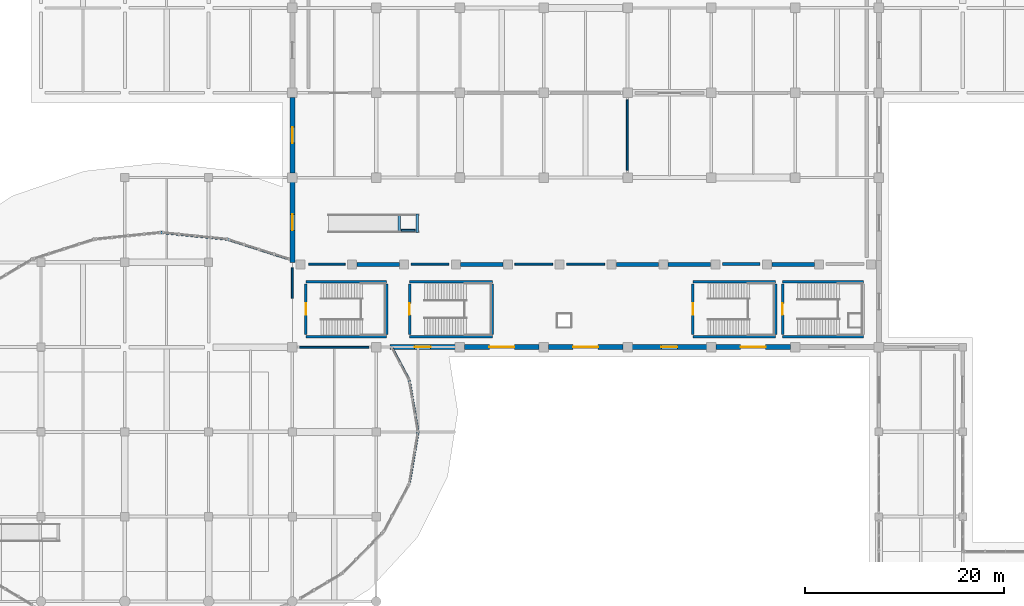
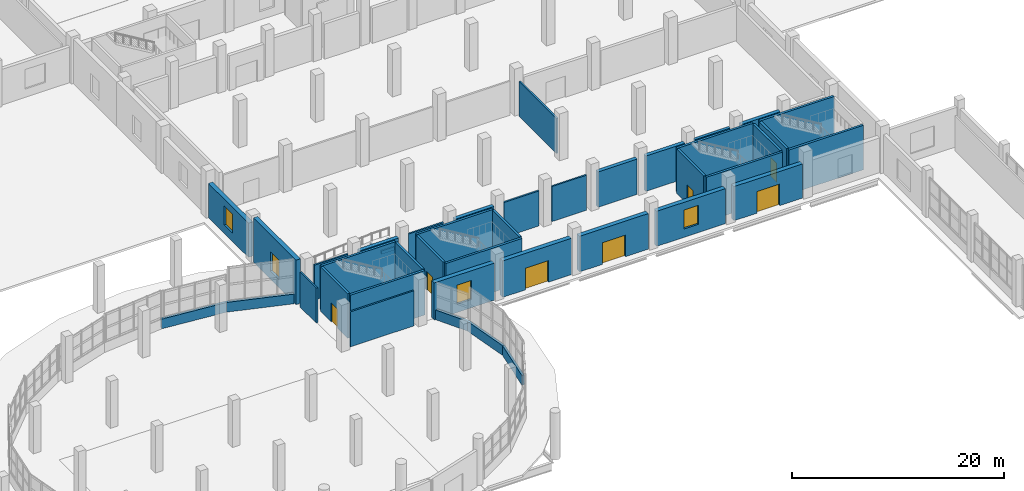
# One storey, part 87 of 107: 43 walls, 7 doors, 4 windows, 11 openings.
"""IFC4 building model written with IfcOpenShell, lengths in metres."""

import ifcopenshell
import ifcopenshell.guid

model = None  # the IFC model being written
_history = None  # IfcOwnerHistory: only IFC2X3 demands one
_inside = {}  # id of a spatial element -> (the spatial element, [elements in it])
_under = {}  # id of a project, library or spatial element -> (it, [spatial elements below it])
_declared = {}  # id of a project -> (the project, [libraries it declares])
_typed = {}  # id of a type object -> (the type object, [elements of that type])
_made_of = {}  # id of a material, layer set ... -> (it, [elements and type objects made of it])


def new_model(schema):
    """Start an empty IFC model of exactly this schema.

    Asked for "IFC4X3", IfcOpenShell would pick the latest addendum, in which some entities
    have other attributes; the version numbers below select the first issue.
    IFC2X3 requires an IfcOwnerHistory on every rooted entity: one is made here for all.
    """
    global model, _history
    if schema == "IFC4X3":
        model = ifcopenshell.file(schema_version=(4, 3, 0, 0))
    else:
        model = ifcopenshell.file(schema=schema)
    _inside.clear()
    _under.clear()
    _declared.clear()
    _typed.clear()
    _made_of.clear()
    _history = None
    if model.schema == "IFC2X3":
        org = make("IfcOrganization", Name="unknown")
        user = make(
            "IfcPersonAndOrganization",
            ThePerson=make("IfcPerson", FamilyName="unknown"),
            TheOrganization=org,
        )
        app = make(
            "IfcApplication",
            ApplicationDeveloper=org,
            Version="unknown",
            ApplicationFullName="unknown",
            ApplicationIdentifier="unknown",
        )
        _history = make(
            "IfcOwnerHistory",
            OwningUser=user,
            OwningApplication=app,
            ChangeAction="ADDED",
            CreationDate=0,
        )
    return model


def make(cls, **values):
    """One entity of the class cls with the attributes given. An attribute that is None is left unset."""
    return model.create_entity(
        cls, **{name: value for name, value in values.items() if value is not None}
    )


def rooted(cls, **values):
    """An entity with a GlobalId (a new one), such as an element, a storey or a relation."""
    return make(cls, GlobalId=ifcopenshell.guid.new(), OwnerHistory=_history, **values)


def si_unit(unit_type, name, prefix=None):
    """IfcSIUnit, for example si_unit("LENGTHUNIT", "METRE", prefix="MILLI")."""
    return make("IfcSIUnit", UnitType=unit_type, Prefix=prefix, Name=name)


def assignment(units):
    """IfcUnitAssignment: the units of a project."""
    return None if units is None else make("IfcUnitAssignment", Units=units)


def point(xyz):
    """IfcCartesianPoint."""
    return None if xyz is None else make("IfcCartesianPoint", Coordinates=xyz)


def direction(xyz):
    """IfcDirection."""
    return None if xyz is None else make("IfcDirection", DirectionRatios=xyz)


def frame(location, z_axis=None, x_axis=None):
    """IfcAxis2Placement3D, a coordinate frame: its origin and axes. An axis left out is left unset."""
    return make(
        "IfcAxis2Placement3D",
        Location=point(location),
        Axis=direction(z_axis),
        RefDirection=direction(x_axis),
    )


def frame_2d(location, x_axis=None):
    """IfcAxis2Placement2D, a coordinate frame in the plane: its origin and x axis."""
    return make(
        "IfcAxis2Placement2D", Location=point(location), RefDirection=direction(x_axis)
    )


def origin():
    """The frame at (0, 0, 0) with its axes left unset."""
    return frame((0.0, 0.0, 0.0))


def place(relative_to, where):
    """IfcLocalPlacement: puts the frame where relative to a parent placement (None: the world)."""
    return make(
        "IfcLocalPlacement", PlacementRelTo=relative_to, RelativePlacement=where
    )


def context(
    kind, dimensions, precision=None, world=None, true_north=None, identifier=None
):
    """IfcGeometricRepresentationContext, for example the 3D "Model" context."""
    return make(
        "IfcGeometricRepresentationContext",
        ContextIdentifier=identifier,
        ContextType=kind,
        CoordinateSpaceDimension=dimensions,
        Precision=precision,
        WorldCoordinateSystem=world,
        TrueNorth=true_north,
    )


def subcontext(parent, identifier, kind, view, scale=None):
    """IfcGeometricRepresentationSubContext, for example "Body" below "Model"."""
    return make(
        "IfcGeometricRepresentationSubContext",
        ContextIdentifier=identifier,
        ContextType=kind,
        ParentContext=parent,
        TargetScale=scale,
        TargetView=view,
    )


def project(units=None, contexts=None):
    """IfcProject with its units and contexts."""
    return rooted(
        "IfcProject",
        Name="project",
        RepresentationContexts=contexts,
        UnitsInContext=assignment(units),
    )


def spatial(cls, under=None, at=None, **own):
    """A site, building, storey or space (cls), placed at a placement, below another one or the project."""
    s = rooted(cls, ObjectPlacement=at, **own)
    if under is not None:
        _under.setdefault(under.id(), (under, []))[1].append(s)
    return s


def profile(cls, at=None, kind="AREA", **sizes):
    """A parametric profile (cls). Its sizes go by their IFC names, for example OverallWidth=200.0."""
    return make(cls, ProfileType=kind, Position=at, **sizes)


def rectangle(**sizes):
    """IfcRectangleProfileDef."""
    return profile("IfcRectangleProfileDef", **sizes)


def extrude(swept, where, along, depth):
    """IfcExtrudedAreaSolid: the profile swept, set in the frame where, extruded along a direction by depth."""
    return make(
        "IfcExtrudedAreaSolid",
        SweptArea=swept,
        Position=where,
        ExtrudedDirection=direction(along),
        Depth=depth,
    )


def shape(context_of_items, identifier, shape_type, items):
    """IfcShapeRepresentation: the items that make up one representation, for example the "Body"."""
    return make(
        "IfcShapeRepresentation",
        ContextOfItems=context_of_items,
        RepresentationIdentifier=identifier,
        RepresentationType=shape_type,
        Items=items,
    )


def material(Name=None, Category=None):
    """IfcMaterial."""
    return make("IfcMaterial", Name=Name, Category=Category)


def layer(
    of_material, thickness, ventilated=None, Name=None, Category=None, Priority=None
):
    """IfcMaterialLayer: one layer of a wall or slab, of a material (None: an air gap)."""
    return make(
        "IfcMaterialLayer",
        Material=of_material,
        LayerThickness=thickness,
        IsVentilated=ventilated,
        Name=Name,
        Category=Category,
        Priority=Priority,
    )


def layer_set(layers, Name=None):
    """IfcMaterialLayerSet."""
    return make("IfcMaterialLayerSet", MaterialLayers=layers, LayerSetName=Name)


def made_of(thing, what):
    """Note that an element or type object is made of a material, layer set ...; save() writes the relation."""
    if what is not None:
        _made_of.setdefault(what.id(), (what, []))[1].append(thing)
    return thing


def type_object(cls, material=None, **own):
    """A type object (cls), such as IfcWallType, which elements share."""
    return made_of(rooted(cls, **own), material)


def element(
    cls,
    number,
    at=None,
    inside=None,
    cuts=None,
    type_object=None,
    material=None,
    context=None,
    identifier="Body",
    shape_type=None,
    held_by="IfcProductDefinitionShape",
    body=None,
    shapes=None,
    **own,
):
    """One element of the class cls, such as IfcWall. Its Tag is "e" and its number.

    at: its placement. inside: the storey or other place that contains it. cuts: it is an
    opening in that element (IfcRelVoidsElement). A single representation is given by context,
    identifier, shape_type and body (its items); several are given by shapes. held_by: the class
    of the entity that holds the representations. save() writes the other relations.
    """
    e = rooted(cls, Tag="e%d" % number, ObjectPlacement=at, **own)
    if body is not None:
        shapes = [shape(context, identifier, shape_type, body)]
    if shapes is not None:
        e.Representation = make(held_by, Representations=shapes)
    if inside is not None:
        _inside.setdefault(inside.id(), (inside, []))[1].append(e)
    if cuts is not None:
        rooted(
            "IfcRelVoidsElement", RelatingBuildingElement=cuts, RelatedOpeningElement=e
        )
    if type_object is not None:
        _typed.setdefault(type_object.id(), (type_object, []))[1].append(e)
    return made_of(e, material)


def fill(opening, filler):
    """IfcRelFillsElement: the door or window that sits in an opening."""
    return rooted(
        "IfcRelFillsElement",
        RelatingOpeningElement=opening,
        RelatedBuildingElement=filler,
    )


def aggregate(whole, parts):
    """IfcRelAggregates: a whole, such as a stair, and the parts it consists of."""
    return rooted("IfcRelAggregates", RelatingObject=whole, RelatedObjects=parts)


def save(model, path):
    """Write the relations noted so far, then the file.

    IfcRelAggregates (storeys below a building ...), IfcRelContainedInSpatialStructure (elements
    in a storey), IfcRelDefinesByType, IfcRelAssociatesMaterial and IfcRelDeclares: one each for
    every whole, place, type object, material and project.
    """
    for whole, parts in _under.values():
        aggregate(whole, parts)
    for where, things in _inside.values():
        rooted(
            "IfcRelContainedInSpatialStructure",
            RelatedElements=things,
            RelatingStructure=where,
        )
    for kind, things in _typed.values():
        rooted("IfcRelDefinesByType", RelatedObjects=things, RelatingType=kind)
    for what, things in _made_of.values():
        rooted("IfcRelAssociatesMaterial", RelatedObjects=things, RelatingMaterial=what)
    for by, libraries in _declared.values():
        rooted("IfcRelDeclares", RelatingContext=by, RelatedDefinitions=libraries)
    model.write(path)


model = new_model("IFC4")

# Units and contexts
model_context = context("Model", 3, precision=1e-05, world=origin(), true_north=direction((0.0, 1.0)))
body_context = subcontext(model_context, "Body", "Model", "MODEL_VIEW")
ifc_project = project(units=[si_unit("LENGTHUNIT", "METRE"), si_unit("AREAUNIT", "SQUARE_METRE"), si_unit("VOLUMEUNIT", "CUBIC_METRE"), si_unit("PLANEANGLEUNIT", "RADIAN"), si_unit("MASSUNIT", "GRAM", prefix="KILO")], contexts=[model_context])

# Site, building, storey
site_placement = place(None, origin())
site = spatial("IfcSite", under=ifc_project, at=site_placement, CompositionType="ELEMENT")
building_placement = place(site_placement, origin())
building = spatial("IfcBuilding", under=site, at=building_placement, Name="Solvento Point Concert Hall", CompositionType="ELEMENT")
storey_placement = place(building_placement, origin())
storey = spatial("IfcBuildingStorey", under=building, at=storey_placement, Name="L00", CompositionType="ELEMENT", Elevation=0.0)

# Walls
ifc_material_1 = material(Name="Acoustic Double-Stud Gypsum Partition")
ifc_layer_1 = layer(ifc_material_1, 0.179931640625)
ifc_layer_set_1 = layer_set([ifc_layer_1], Name="Acoustic Double-Stud Gypsum Partition")
wall_type_1 = type_object("IfcWallType", Name="AcousticPartition_180", PredefinedType="PARTITIONING", material=ifc_layer_set_1)
wall_1_placement = place(storey_placement, frame((75.125, 42.47998046875, 0.0), z_axis=(0.0, 0.0, 1.0), x_axis=(1.0, 0.0, 0.0)))
element("IfcWall", 1, at=wall_1_placement, inside=storey, type_object=wall_type_1, Name="Interior acoustic partition PW-63 L00", PredefinedType="PARTITIONING", context=body_context, shape_type="SweptSolid", body=[
    extrude(rectangle(XDim=6.949951171875, YDim=0.179931640625, at=frame_2d((3.47509765625, 0.0))), origin(), (0.0, 0.0, 1.0), 4.0400390625),
])
wall_2_placement = place(storey_placement, frame((74.3798828125, 50.4423828125, 0.0), z_axis=(0.0, 0.0, 1.0), x_axis=(0.0, -1.0, 0.0)))
element("IfcWall", 2, at=wall_2_placement, inside=storey, type_object=wall_type_1, Name="Interior acoustic partition PW-63 L00", PredefinedType="PARTITIONING", context=body_context, shape_type="SweptSolid", body=[
    extrude(rectangle(XDim=3.055419921875, YDim=0.179931640625, at=frame_2d((1.52783203125, 0.0))), origin(), (0.0, 0.0, 1.0), 4.0400390625),
])
for number, where, z_axis, x_axis, name in (
    (3, (105.699951171875, 50.820068359375, 0.0), (0.0, 0.0, 1.0), (-1.0, 0.0, 0.0), "Interior acoustic partition PW-63 L00"),
    (4, (100.5, 50.820068359375, 0.0), (0.0, 0.0, 1.0), (-1.0, 0.0, 0.0), "Interior acoustic partition PW-63 L00"),
    (5, (90.10009765625, 50.820068359375, 0.0), (0.0, 0.0, 1.0), (-1.0, 0.0, 0.0), "Interior acoustic partition PW-63 L00"),
):
    element("IfcWall", number, at=place(storey_placement, frame(where, z_axis=z_axis, x_axis=x_axis)), inside=storey, type_object=wall_type_1, Name=name, PredefinedType="PARTITIONING", context=body_context, shape_type="SweptSolid", body=[
        extrude(rectangle(XDim=3.800048828125, YDim=0.179931640625, at=frame_2d((1.89990234375, 0.0))), origin(), (0.0, 0.0, 1.0), 4.0400390625),
    ])
wall_3_placement = place(storey_placement, frame((79.699951171875, 50.820068359375, 0.0), z_axis=(0.0, 0.0, 1.0), x_axis=(-1.0, 0.0, 0.0)))
element("IfcWall", 6, at=wall_3_placement, inside=storey, type_object=wall_type_1, Name="Interior acoustic partition PW-63 L00", PredefinedType="PARTITIONING", context=body_context, shape_type="SweptSolid", body=[
    extrude(rectangle(XDim=3.679931640625, YDim=0.179931640625, at=frame_2d((1.83984375, 0.0))), origin(), (0.0, 0.0, 1.0), 4.0400390625),
])
wall_4_placement = place(storey_placement, frame((107.97998046875, 67.27490234375, 0.0), z_axis=(0.0, 0.0, 1.0), x_axis=(0.0, -1.0, 0.0)))
element("IfcWall", 7, at=wall_4_placement, inside=storey, type_object=wall_type_1, Name="Interior acoustic partition PW-63 L00", PredefinedType="PARTITIONING", context=body_context, shape_type="SweptSolid", body=[
    extrude(rectangle(XDim=7.0498046875, YDim=0.179931640625, at=frame_2d((3.52490234375, 0.0))), origin(), (0.0, 0.0, 1.0), 4.0400390625),
])
ifc_material_2 = material(Name="Acoustic Double-Stud Gypsum Partition")
ifc_layer_2 = layer(ifc_material_2, 0.31494140625)
ifc_layer_set_2 = layer_set([ifc_layer_2], Name="Acoustic Double-Stud Gypsum Partition")
wall_type_2 = type_object("IfcWallType", Name="AcousticPartition_315", PredefinedType="PARTITIONING", material=ifc_layer_set_2)
wall_5_placement = place(storey_placement, frame((121.300048828125, 50.820068359375, 0.0), z_axis=(0.0, 0.0, 1.0), x_axis=(-1.0, 0.0, 0.0)))
element("IfcWall", 8, at=wall_5_placement, inside=storey, type_object=wall_type_2, Name="Interior acoustic partition PW-18 L00", PredefinedType="PARTITIONING", context=body_context, shape_type="SweptSolid", body=[
    extrude(rectangle(XDim=3.800048828125, YDim=0.31494140625, at=frame_2d((1.89990234375, 0.0))), origin(), (0.0, 0.0, 1.0), 4.0400390625),
])
ifc_material_3 = material(Name="Concrete C40/50", Category="concrete")
ifc_layer_3 = layer(ifc_material_3, 0.300048828125)
ifc_layer_set_3 = layer_set([ifc_layer_3], Name="Concrete C40/50")
wall_type_3 = type_object("IfcWallType", Name="CoreShearWall_300", PredefinedType="SHEAR", material=ifc_layer_set_3)
for number, where, z_axis, x_axis, name in (
    (9, (94.449951171875, 43.550048828125, 0.0), (0.0, 0.0, 1.0), (-1.0, 0.0, 0.0), "Stair core shear wall W-SH1 ST-06 L00"),
    (10, (86.14990234375, 49.050048828125, 0.0), (0.0, 0.0, 1.0), (1.0, 0.0, 0.0), "Stair core shear wall W-SH1 ST-06 L00"),
):
    element("IfcWall", number, at=place(storey_placement, frame(where, z_axis=z_axis, x_axis=x_axis)), inside=storey, type_object=wall_type_3, Name=name, PredefinedType="SHEAR", context=body_context, shape_type="SweptSolid", body=[
        extrude(rectangle(XDim=8.300048828125, YDim=0.25, at=frame_2d((4.14990234375, 0.0))), origin(), (0.0, 0.0, 1.0), 5.1201171875),
    ])

# Wall, opening, door
wall_6_placement = place(storey_placement, frame((86.14990234375, 43.75, 0.0), z_axis=(0.0, 0.0, 1.0), x_axis=(0.0, 1.0, 0.0)))
wall_6 = element("IfcWall", 11, at=wall_6_placement, inside=storey, type_object=wall_type_3, Name="Stair core shear wall W-SH1 ST-06 L00", PredefinedType="SHEAR", context=body_context, shape_type="SweptSolid", body=[
    extrude(rectangle(XDim=5.10009765625, YDim=0.25, at=frame_2d((2.550048828125, 0.0))), origin(), (0.0, 0.0, 1.0), 5.1201171875),
])
opening_1_placement = place(wall_6_placement, frame((1.97509765625, 0.0, 0.0)))
opening_1 = element("IfcOpeningElement", 12, at=opening_1_placement, cuts=wall_6, Name="Opening D-ST1", PredefinedType="OPENING", context=body_context, shape_type="SweptSolid", body=[
    extrude(rectangle(XDim=1.14990234375, YDim=2.179931640625, at=frame_2d((0.574951171875, 1.08984375))), frame((0.0, 0.135009765625, 0.0), z_axis=(0.0, -1.0, 0.0), x_axis=(1.0, 0.0, 0.0)), (0.0, 0.0, 1.0), 0.27001953125),
])
ifc_material_4 = material(Name="Hollow Metal Acoustic Fire Door")
door_type_1 = type_object("IfcDoorType", Name="StairFireDoor_1150", OperationType="NOTDEFINED", PredefinedType="DOOR", material=ifc_material_4)
door_1_placement = place(opening_1_placement, origin())
door_1 = element("IfcDoor", 13, at=door_1_placement, inside=storey, type_object=door_type_1, Name="Protected exit stair door ST-06 L00", OperationType="SINGLE_SWING_RIGHT", OverallHeight=2.179931640625, OverallWidth=1.14990234375, PredefinedType="DOOR", context=body_context, shape_type="SweptSolid", body=[
    extrude(rectangle(XDim=1.14990234375, YDim=2.179931640625, at=frame_2d((0.574951171875, 1.08984375))), frame((0.0, 0.02490234375, 0.0), z_axis=(0.0, -1.0, 0.0), x_axis=(1.0, 0.0, 0.0)), (0.0, 0.0, 1.0), 0.050048828125),
])
fill(opening_1, door_1)

# Walls
wall_7_placement = place(storey_placement, frame((94.449951171875, 48.85009765625, 0.0), z_axis=(0.0, 0.0, 1.0), x_axis=(0.0, -1.0, 0.0)))
element("IfcWall", 14, at=wall_7_placement, inside=storey, type_object=wall_type_3, Name="Stair core shear wall W-SH1 ST-06 L00", PredefinedType="SHEAR", context=body_context, shape_type="SweptSolid", body=[
    extrude(rectangle(XDim=5.10009765625, YDim=0.25, at=frame_2d((2.550048828125, 0.0))), origin(), (0.0, 0.0, 1.0), 5.1201171875),
])
for number, where, z_axis, x_axis, name in (
    (15, (122.85009765625, 43.550048828125, 0.0), (0.0, 0.0, 1.0), (-1.0, 0.0, 0.0), "Stair core shear wall W-SH1 ST-07 L00"),
    (16, (114.550048828125, 49.050048828125, 0.0), (0.0, 0.0, 1.0), (1.0, 0.0, 0.0), "Stair core shear wall W-SH1 ST-07 L00"),
):
    element("IfcWall", number, at=place(storey_placement, frame(where, z_axis=z_axis, x_axis=x_axis)), inside=storey, type_object=wall_type_3, Name=name, PredefinedType="SHEAR", context=body_context, shape_type="SweptSolid", body=[
        extrude(rectangle(XDim=8.300048828125, YDim=0.25, at=frame_2d((4.14990234375, 0.0))), origin(), (0.0, 0.0, 1.0), 5.1201171875),
    ])

# Wall, opening, door
wall_8_placement = place(storey_placement, frame((114.550048828125, 43.75, 0.0), z_axis=(0.0, 0.0, 1.0), x_axis=(0.0, 1.0, 0.0)))
wall_8 = element("IfcWall", 17, at=wall_8_placement, inside=storey, type_object=wall_type_3, Name="Stair core shear wall W-SH1 ST-07 L00", PredefinedType="SHEAR", context=body_context, shape_type="SweptSolid", body=[
    extrude(rectangle(XDim=5.10009765625, YDim=0.25, at=frame_2d((2.550048828125, 0.0))), origin(), (0.0, 0.0, 1.0), 5.1201171875),
])
opening_2_placement = place(wall_8_placement, frame((1.97509765625, 0.0, 0.0)))
opening_2 = element("IfcOpeningElement", 18, at=opening_2_placement, cuts=wall_8, Name="Opening D-ST1", PredefinedType="OPENING", context=body_context, shape_type="SweptSolid", body=[
    extrude(rectangle(XDim=1.14990234375, YDim=2.179931640625, at=frame_2d((0.574951171875, 1.08984375))), frame((0.0, 0.135009765625, 0.0), z_axis=(0.0, -1.0, 0.0), x_axis=(1.0, 0.0, 0.0)), (0.0, 0.0, 1.0), 0.27001953125),
])
door_2_placement = place(opening_2_placement, origin())
door_2 = element("IfcDoor", 19, at=door_2_placement, inside=storey, type_object=door_type_1, Name="Protected exit stair door ST-07 L00", OperationType="SINGLE_SWING_LEFT", OverallHeight=2.179931640625, OverallWidth=1.14990234375, PredefinedType="DOOR", context=body_context, shape_type="SweptSolid", body=[
    extrude(rectangle(XDim=1.14990234375, YDim=2.179931640625, at=frame_2d((0.574951171875, 1.08984375))), frame((0.0, 0.02490234375, 0.0), z_axis=(0.0, -1.0, 0.0), x_axis=(1.0, 0.0, 0.0)), (0.0, 0.0, 1.0), 0.050048828125),
])
fill(opening_2, door_2)

# Walls
wall_9_placement = place(storey_placement, frame((122.85009765625, 48.85009765625, 0.0), z_axis=(0.0, 0.0, 1.0), x_axis=(0.0, -1.0, 0.0)))
element("IfcWall", 20, at=wall_9_placement, inside=storey, type_object=wall_type_3, Name="Stair core shear wall W-SH1 ST-07 L00", PredefinedType="SHEAR", context=body_context, shape_type="SweptSolid", body=[
    extrude(rectangle(XDim=5.10009765625, YDim=0.25, at=frame_2d((2.550048828125, 0.0))), origin(), (0.0, 0.0, 1.0), 5.1201171875),
])
for number, where, z_axis, x_axis, name in (
    (21, (83.85009765625, 43.550048828125, 0.0), (0.0, 0.0, 1.0), (-1.0, 0.0, 0.0), "Stair core shear wall W-SH1 VOM-01 L00"),
    (22, (75.75, 49.050048828125, 0.0), (0.0, 0.0, 1.0), (1.0, 0.0, 0.0), "Stair core shear wall W-SH1 VOM-01 L00"),
):
    element("IfcWall", number, at=place(storey_placement, frame(where, z_axis=z_axis, x_axis=x_axis)), inside=storey, type_object=wall_type_3, Name=name, PredefinedType="SHEAR", context=body_context, shape_type="SweptSolid", body=[
        extrude(rectangle(XDim=8.10009765625, YDim=0.25, at=frame_2d((4.050048828125, 0.0))), origin(), (0.0, 0.0, 1.0), 5.1201171875),
    ])

# Wall, opening, door
wall_10_placement = place(storey_placement, frame((75.75, 43.75, 0.0), z_axis=(0.0, 0.0, 1.0), x_axis=(0.0, 1.0, 0.0)))
wall_10 = element("IfcWall", 23, at=wall_10_placement, inside=storey, type_object=wall_type_3, Name="Stair core shear wall W-SH1 VOM-01 L00", PredefinedType="SHEAR", context=body_context, shape_type="SweptSolid", body=[
    extrude(rectangle(XDim=5.10009765625, YDim=0.25, at=frame_2d((2.550048828125, 0.0))), origin(), (0.0, 0.0, 1.0), 5.1201171875),
])
opening_3_placement = place(wall_10_placement, frame((1.97509765625, 0.0, 0.0)))
opening_3 = element("IfcOpeningElement", 24, at=opening_3_placement, cuts=wall_10, Name="Opening D-ST1", PredefinedType="OPENING", context=body_context, shape_type="SweptSolid", body=[
    extrude(rectangle(XDim=1.14990234375, YDim=2.179931640625, at=frame_2d((0.574951171875, 1.08984375))), frame((0.0, 0.135009765625, 0.0), z_axis=(0.0, -1.0, 0.0), x_axis=(1.0, 0.0, 0.0)), (0.0, 0.0, 1.0), 0.27001953125),
])
door_3_placement = place(opening_3_placement, origin())
door_3 = element("IfcDoor", 25, at=door_3_placement, inside=storey, type_object=door_type_1, Name="Protected exit stair door VOM-01 L00", OperationType="SINGLE_SWING_RIGHT", OverallHeight=2.179931640625, OverallWidth=1.14990234375, PredefinedType="DOOR", context=body_context, shape_type="SweptSolid", body=[
    extrude(rectangle(XDim=1.14990234375, YDim=2.179931640625, at=frame_2d((0.574951171875, 1.08984375))), frame((0.0, 0.02490234375, 0.0), z_axis=(0.0, -1.0, 0.0), x_axis=(1.0, 0.0, 0.0)), (0.0, 0.0, 1.0), 0.050048828125),
])
fill(opening_3, door_3)

# Walls
wall_11_placement = place(storey_placement, frame((83.85009765625, 48.85009765625, 0.0), z_axis=(0.0, 0.0, 1.0), x_axis=(0.0, -1.0, 0.0)))
element("IfcWall", 26, at=wall_11_placement, inside=storey, type_object=wall_type_3, Name="Stair core shear wall W-SH1 VOM-01 L00", PredefinedType="SHEAR", context=body_context, shape_type="SweptSolid", body=[
    extrude(rectangle(XDim=5.10009765625, YDim=0.25, at=frame_2d((2.550048828125, 0.0))), origin(), (0.0, 0.0, 1.0), 5.1201171875),
])
for number, where, z_axis, x_axis, name in (
    (27, (131.64990234375, 43.550048828125, 0.0), (0.0, 0.0, 1.0), (-1.0, 0.0, 0.0), "Stair core shear wall W-SH1 VOM-02 L00"),
    (28, (123.550048828125, 49.050048828125, 0.0), (0.0, 0.0, 1.0), (1.0, 0.0, 0.0), "Stair core shear wall W-SH1 VOM-02 L00"),
):
    element("IfcWall", number, at=place(storey_placement, frame(where, z_axis=z_axis, x_axis=x_axis)), inside=storey, type_object=wall_type_3, Name=name, PredefinedType="SHEAR", context=body_context, shape_type="SweptSolid", body=[
        extrude(rectangle(XDim=8.099853515625, YDim=0.25, at=frame_2d((4.0498046875, 0.0))), origin(), (0.0, 0.0, 1.0), 5.1201171875),
    ])

# Wall, opening, door
wall_12_placement = place(storey_placement, frame((123.550048828125, 43.75, 0.0), z_axis=(0.0, 0.0, 1.0), x_axis=(0.0, 1.0, 0.0)))
wall_12 = element("IfcWall", 29, at=wall_12_placement, inside=storey, type_object=wall_type_3, Name="Stair core shear wall W-SH1 VOM-02 L00", PredefinedType="SHEAR", context=body_context, shape_type="SweptSolid", body=[
    extrude(rectangle(XDim=5.10009765625, YDim=0.25, at=frame_2d((2.550048828125, 0.0))), origin(), (0.0, 0.0, 1.0), 5.1201171875),
])
opening_4_placement = place(wall_12_placement, frame((1.97509765625, 0.0, 0.0)))
opening_4 = element("IfcOpeningElement", 30, at=opening_4_placement, cuts=wall_12, Name="Opening D-ST1", PredefinedType="OPENING", context=body_context, shape_type="SweptSolid", body=[
    extrude(rectangle(XDim=1.14990234375, YDim=2.179931640625, at=frame_2d((0.574951171875, 1.08984375))), frame((0.0, 0.135009765625, 0.0), z_axis=(0.0, -1.0, 0.0), x_axis=(1.0, 0.0, 0.0)), (0.0, 0.0, 1.0), 0.27001953125),
])
door_4_placement = place(opening_4_placement, origin())
door_4 = element("IfcDoor", 31, at=door_4_placement, inside=storey, type_object=door_type_1, Name="Protected exit stair door VOM-02 L00", OperationType="SINGLE_SWING_RIGHT", OverallHeight=2.179931640625, OverallWidth=1.14990234375, PredefinedType="DOOR", context=body_context, shape_type="SweptSolid", body=[
    extrude(rectangle(XDim=1.14990234375, YDim=2.179931640625, at=frame_2d((0.574951171875, 1.08984375))), frame((0.0, 0.02490234375, 0.0), z_axis=(0.0, -1.0, 0.0), x_axis=(1.0, 0.0, 0.0)), (0.0, 0.0, 1.0), 0.050048828125),
])
fill(opening_4, door_4)

# Walls
wall_13_placement = place(storey_placement, frame((85.1201171875, 53.97998046875, 0.0), z_axis=(0.0, 0.0, 1.0), x_axis=(0.0, 1.0, 0.0)))
element("IfcWall", 32, at=wall_13_placement, inside=storey, type_object=wall_type_3, Name="Ramp landing stem wall W-SH1 RMP-H1", PredefinedType="SHEAR", context=body_context, shape_type="SweptSolid", body=[
    extrude(rectangle(XDim=1.840087890625, YDim=0.280029296875, at=frame_2d((0.919921875, 0.0))), origin(), (0.0, 0.0, 1.0), 0.3701171875),
])
wall_14_placement = place(storey_placement, frame((86.909912109375, 53.97998046875, 0.0), z_axis=(0.0, 0.0, 1.0), x_axis=(0.0, 1.0, 0.0)))
element("IfcWall", 33, at=wall_14_placement, inside=storey, type_object=wall_type_3, Name="Ramp landing stem wall W-SH1 RMP-H1", PredefinedType="SHEAR", context=body_context, shape_type="SweptSolid", body=[
    extrude(rectangle(XDim=1.840087890625, YDim=0.219970703125, at=frame_2d((0.919921875, 0.0))), origin(), (0.0, 0.0, 1.0), 0.3701171875),
])
wall_15_placement = place(storey_placement, frame((85.300048828125, 54.219970703125, 0.0), z_axis=(0.0, 0.0, 1.0), x_axis=(1.0, 0.0, 0.0)))
element("IfcWall", 34, at=wall_15_placement, inside=storey, type_object=wall_type_3, Name="Ramp landing stem wall W-SH1 RMP-H1", PredefinedType="SHEAR", context=body_context, shape_type="SweptSolid", body=[
    extrude(rectangle(XDim=1.429931640625, YDim=0.199951171875, at=frame_2d((0.71484375, 0.0))), origin(), (0.0, 0.0, 1.0), 0.3701171875),
])
ifc_material_5 = material(Name="Concrete C40/50", Category="concrete")
ifc_layer_4 = layer(ifc_material_5, 0.39990234375)
ifc_layer_set_4 = layer_set([ifc_layer_4], Name="Concrete C40/50")
wall_type_4 = type_object("IfcWallType", Name="DrumShearWall_400", PredefinedType="SHEAR", material=ifc_layer_set_4)
wall_16_placement = place(storey_placement, frame((80.8798828125, 50.800048828125, 0.0), z_axis=(0.0, 0.0, 1.0), x_axis=(1.0, 0.0, 0.0)))
element("IfcWall", 35, at=wall_16_placement, inside=storey, type_object=wall_type_4, Name="Symphonic acoustic drum shear wall W-DR1 L00", PredefinedType="SHEAR", context=body_context, shape_type="SweptSolid", body=[
    extrude(rectangle(XDim=4.240234375, YDim=0.39990234375, at=frame_2d((2.1201171875, 0.0))), origin(), (0.0, 0.0, 1.0), 4.070068359375),
])
wall_17_placement = place(storey_placement, frame((91.280029296875, 50.800048828125, 0.0), z_axis=(0.0, 0.0, 1.0), x_axis=(1.0, 0.0, 0.0)))
element("IfcWall", 36, at=wall_17_placement, inside=storey, type_object=wall_type_4, Name="Symphonic acoustic drum shear wall W-DR1 L00", PredefinedType="SHEAR", context=body_context, shape_type="SweptSolid", body=[
    extrude(rectangle(XDim=4.239990234375, YDim=0.39990234375, at=frame_2d((2.1201171875, 0.0))), origin(), (0.0, 0.0, 1.0), 4.070068359375),
])
wall_18_placement = place(storey_placement, frame((106.8798828125, 50.800048828125, 0.0), z_axis=(0.0, 0.0, 1.0), x_axis=(1.0, 0.0, 0.0)))
element("IfcWall", 37, at=wall_18_placement, inside=storey, type_object=wall_type_4, Name="Symphonic acoustic drum shear wall W-DR1 L00", PredefinedType="SHEAR", context=body_context, shape_type="SweptSolid", body=[
    extrude(rectangle(XDim=4.240234375, YDim=0.39990234375, at=frame_2d((2.1201171875, 0.0))), origin(), (0.0, 0.0, 1.0), 4.070068359375),
])
for number, where, z_axis, x_axis, name in (
    (38, (112.080078125, 50.800048828125, 0.0), (0.0, 0.0, 1.0), (1.0, 0.0, 0.0), "Symphonic acoustic drum shear wall W-DR1 L00"),
    (39, (122.47998046875, 50.800048828125, 0.0), (0.0, 0.0, 1.0), (1.0, 0.0, 0.0), "Symphonic acoustic drum shear wall W-DR1 L00"),
):
    element("IfcWall", number, at=place(storey_placement, frame(where, z_axis=z_axis, x_axis=x_axis)), inside=storey, type_object=wall_type_4, Name=name, PredefinedType="SHEAR", context=body_context, shape_type="SweptSolid", body=[
        extrude(rectangle(XDim=4.239990234375, YDim=0.39990234375, at=frame_2d((2.1201171875, 0.0))), origin(), (0.0, 0.0, 1.0), 4.070068359375),
    ])

# Wall, opening, window
ifc_material_6 = material(Name="Concrete C40/50", Category="concrete")
ifc_layer_5 = layer(ifc_material_6, 0.47998046875)
ifc_layer_set_5 = layer_set([ifc_layer_5], Name="Concrete C40/50")
wall_type_5 = type_object("IfcWallType", Name="ExtWall_V1_Drum_480", PredefinedType="SOLIDWALL", material=ifc_layer_set_5)
wall_19_placement = place(storey_placement, frame((74.39990234375, 50.982177734375, 0.0), z_axis=(0.0, 0.0, 1.0), x_axis=(0.0, 1.0, 0.0)))
wall_19 = element("IfcWall", 40, at=wall_19_placement, inside=storey, type_object=wall_type_5, Name="Exterior architectural concrete wall EW-46 L00", PredefinedType="SOLIDWALL", context=body_context, shape_type="SweptSolid", body=[
    extrude(rectangle(XDim=8.062744140625, YDim=0.47998046875, at=frame_2d((4.03125, 0.0))), origin(), (0.0, 0.0, 1.0), 5.1201171875),
])
opening_5_placement = place(wall_19_placement, frame((3.2314453125, 0.0, 0.949951171875)))
opening_5 = element("IfcOpeningElement", 41, at=opening_5_placement, cuts=wall_19, Name="Opening WN-44", PredefinedType="OPENING", context=body_context, shape_type="SweptSolid", body=[
    extrude(rectangle(XDim=1.60009765625, YDim=2.199951171875, at=frame_2d((0.800048828125, 1.10009765625))), frame((0.0, 0.25, 0.0), z_axis=(0.0, -1.0, 0.0), x_axis=(1.0, 0.0, 0.0)), (0.0, 0.0, 1.0), 0.5),
])
ifc_material_7 = material(Name="Hurricane Laminated Low-E Glass", Category="glass")
window_type = type_object("IfcWindowType", Name="Win_V1_GroundGallery", PartitioningType="SINGLE_PANEL", PredefinedType="WINDOW", material=ifc_material_7)
window_1_placement = place(opening_5_placement, origin())
window_1 = element("IfcWindow", 42, at=window_1_placement, inside=storey, type_object=window_type, Name="Impact acoustic window WN-44", OverallHeight=2.199951171875, OverallWidth=1.60009765625, PartitioningType="SINGLE_PANEL", PredefinedType="WINDOW", context=body_context, shape_type="SweptSolid", body=[
    extrude(rectangle(XDim=1.60009765625, YDim=2.199951171875, at=frame_2d((0.800048828125, 1.10009765625))), frame((0.0, 0.030029296875, 0.0), z_axis=(0.0, -1.0, 0.0), x_axis=(1.0, 0.0, 0.0)), (0.0, 0.0, 1.0), 0.06005859375),
])
fill(opening_5, window_1)

wall_20_placement = place(storey_placement, frame((74.39990234375, 59.955078125, 0.0), z_axis=(0.0, 0.0, 1.0), x_axis=(0.0, 1.0, 0.0)))
wall_20 = element("IfcWall", 43, at=wall_20_placement, inside=storey, type_object=wall_type_5, Name="Exterior architectural concrete wall EW-46 L00", PredefinedType="SOLIDWALL", context=body_context, shape_type="SweptSolid", body=[
    extrude(rectangle(XDim=7.58984375, YDim=0.47998046875, at=frame_2d((3.794921875, 0.0))), origin(), (0.0, 0.0, 1.0), 3.93798828125),
])
opening_6_placement = place(wall_20_placement, frame((2.9951171875, 0.0, 0.949951171875)))
opening_6 = element("IfcOpeningElement", 44, at=opening_6_placement, cuts=wall_20, Name="Opening WN-44", PredefinedType="OPENING", context=body_context, shape_type="SweptSolid", body=[
    extrude(rectangle(XDim=1.60009765625, YDim=2.199951171875, at=frame_2d((0.800048828125, 1.10009765625))), frame((0.0, 0.25, 0.0), z_axis=(0.0, -1.0, 0.0), x_axis=(1.0, 0.0, 0.0)), (0.0, 0.0, 1.0), 0.5),
])
window_2_placement = place(opening_6_placement, origin())
window_2 = element("IfcWindow", 45, at=window_2_placement, inside=storey, type_object=window_type, Name="Impact acoustic window WN-44", OverallHeight=2.199951171875, OverallWidth=1.60009765625, PartitioningType="SINGLE_PANEL", PredefinedType="WINDOW", context=body_context, shape_type="SweptSolid", body=[
    extrude(rectangle(XDim=1.60009765625, YDim=2.199951171875, at=frame_2d((0.800048828125, 1.10009765625))), frame((0.0, 0.030029296875, 0.0), z_axis=(0.0, -1.0, 0.0), x_axis=(1.0, 0.0, 0.0)), (0.0, 0.0, 1.0), 0.06005859375),
])
fill(opening_6, window_2)

wall_21_placement = place(storey_placement, frame((90.7451171875, 42.5, 0.0), z_axis=(0.0, 0.0, 1.0), x_axis=(-1.0, 0.0, 0.0)))
wall_21 = element("IfcWall", 46, at=wall_21_placement, inside=storey, type_object=wall_type_5, Name="Exterior architectural concrete wall EW-46 L00", PredefinedType="SOLIDWALL", context=body_context, shape_type="SweptSolid", body=[
    extrude(rectangle(XDim=6.56005859375, YDim=0.47998046875, at=frame_2d((3.280029296875, 0.0))), origin(), (0.0, 0.0, 1.0), 4.27099609375),
])
opening_7_placement = place(wall_21_placement, frame((2.47998046875, 0.0, 0.949951171875)))
opening_7 = element("IfcOpeningElement", 47, at=opening_7_placement, cuts=wall_21, Name="Opening WN-44", PredefinedType="OPENING", context=body_context, shape_type="SweptSolid", body=[
    extrude(rectangle(XDim=1.60009765625, YDim=2.199951171875, at=frame_2d((0.800048828125, 1.10009765625))), frame((0.0, 0.25, 0.0), z_axis=(0.0, -1.0, 0.0), x_axis=(1.0, 0.0, 0.0)), (0.0, 0.0, 1.0), 0.5),
])
window_3_placement = place(opening_7_placement, origin())
window_3 = element("IfcWindow", 48, at=window_3_placement, inside=storey, type_object=window_type, Name="Impact acoustic window WN-44", OverallHeight=2.199951171875, OverallWidth=1.60009765625, PartitioningType="SINGLE_PANEL", PredefinedType="WINDOW", context=body_context, shape_type="SweptSolid", body=[
    extrude(rectangle(XDim=1.60009765625, YDim=2.199951171875, at=frame_2d((0.800048828125, 1.10009765625))), frame((0.0, 0.030029296875, 0.0), z_axis=(0.0, -1.0, 0.0), x_axis=(1.0, 0.0, 0.0)), (0.0, 0.0, 1.0), 0.06005859375),
])
fill(opening_7, window_3)

# Wall, opening, door
wall_22_placement = place(storey_placement, frame((99.14501953125, 42.5, 0.0), z_axis=(0.0, 0.0, 1.0), x_axis=(-1.0, 0.0, 0.0)))
wall_22 = element("IfcWall", 49, at=wall_22_placement, inside=storey, type_object=wall_type_5, Name="Exterior architectural concrete wall EW-46 L00", PredefinedType="SOLIDWALL", context=body_context, shape_type="SweptSolid", body=[
    extrude(rectangle(XDim=7.489990234375, YDim=0.47998046875, at=frame_2d((3.7451171875, 0.0))), origin(), (0.0, 0.0, 1.0), 4.194091796875),
])
opening_8_placement = place(wall_22_placement, frame((2.4951171875, 0.0, 0.0)))
opening_8 = element("IfcOpeningElement", 50, at=opening_8_placement, cuts=wall_22, Name="Opening ED-05", PredefinedType="OPENING", context=body_context, shape_type="SweptSolid", body=[
    extrude(rectangle(XDim=2.5, YDim=2.5, at=frame_2d((1.25, 1.25))), frame((0.0, 0.25, 0.0), z_axis=(0.0, -1.0, 0.0), x_axis=(1.0, 0.0, 0.0)), (0.0, 0.0, 1.0), 0.5),
])
ifc_material_8 = material(Name="Anodized Bronze Aluminium", Category="aluminium")
door_type_2 = type_object("IfcDoorType", Name="PedestrianExitDoor_ED-05", OperationType="DOUBLE_DOOR_SINGLE_SWING", PredefinedType="DOOR", material=ifc_material_8)
door_5_placement = place(opening_8_placement, origin())
door_5 = element("IfcDoor", 51, at=door_5_placement, inside=storey, type_object=door_type_2, Name="Symphonic hall vomitory final exit discharge double door ED-05", OperationType="DOUBLE_DOOR_SINGLE_SWING", OverallHeight=2.5, OverallWidth=2.5, PredefinedType="DOOR", context=body_context, shape_type="SweptSolid", body=[
    extrude(rectangle(XDim=2.5, YDim=2.5, at=frame_2d((1.25, 1.25))), frame((0.0, 0.02490234375, 0.0), z_axis=(0.0, -1.0, 0.0), x_axis=(1.0, 0.0, 0.0)), (0.0, 0.0, 1.0), 0.050048828125),
])
fill(opening_8, door_5)

wall_23_placement = place(storey_placement, frame((107.544921875, 42.5, 0.0), z_axis=(0.0, 0.0, 1.0), x_axis=(-1.0, 0.0, 0.0)))
wall_23 = element("IfcWall", 52, at=wall_23_placement, inside=storey, type_object=wall_type_5, Name="Exterior architectural concrete wall EW-46 L00", PredefinedType="SOLIDWALL", context=body_context, shape_type="SweptSolid", body=[
    extrude(rectangle(XDim=7.489990234375, YDim=0.47998046875, at=frame_2d((3.7451171875, 0.0))), origin(), (0.0, 0.0, 1.0), 4.10498046875),
])
opening_9_placement = place(wall_23_placement, frame((2.4951171875, 0.0, 0.0)))
opening_9 = element("IfcOpeningElement", 53, at=opening_9_placement, cuts=wall_23, Name="Opening ED-05", PredefinedType="OPENING", context=body_context, shape_type="SweptSolid", body=[
    extrude(rectangle(XDim=2.5, YDim=2.5, at=frame_2d((1.25, 1.25))), frame((0.0, 0.25, 0.0), z_axis=(0.0, -1.0, 0.0), x_axis=(1.0, 0.0, 0.0)), (0.0, 0.0, 1.0), 0.5),
])
door_6_placement = place(opening_9_placement, origin())
door_6 = element("IfcDoor", 54, at=door_6_placement, inside=storey, type_object=door_type_2, Name="Symphonic hall vomitory final exit discharge double door ED-05", OperationType="DOUBLE_DOOR_SINGLE_SWING", OverallHeight=2.5, OverallWidth=2.5, PredefinedType="DOOR", context=body_context, shape_type="SweptSolid", body=[
    extrude(rectangle(XDim=2.5, YDim=2.5, at=frame_2d((1.25, 1.25))), frame((0.0, 0.02490234375, 0.0), z_axis=(0.0, -1.0, 0.0), x_axis=(1.0, 0.0, 0.0)), (0.0, 0.0, 1.0), 0.050048828125),
])
fill(opening_9, door_6)

# Wall, opening, window
wall_24_placement = place(storey_placement, frame((115.945068359375, 42.5, 0.0), z_axis=(0.0, 0.0, 1.0), x_axis=(-1.0, 0.0, 0.0)))
wall_24 = element("IfcWall", 55, at=wall_24_placement, inside=storey, type_object=wall_type_5, Name="Exterior architectural concrete wall EW-46 L00", PredefinedType="SOLIDWALL", context=body_context, shape_type="SweptSolid", body=[
    extrude(rectangle(XDim=7.489990234375, YDim=0.47998046875, at=frame_2d((3.7451171875, 0.0))), origin(), (0.0, 0.0, 1.0), 4.037109375),
])
opening_10_placement = place(wall_24_placement, frame((2.945068359375, 0.0, 0.949951171875)))
opening_10 = element("IfcOpeningElement", 56, at=opening_10_placement, cuts=wall_24, Name="Opening WN-44", PredefinedType="OPENING", context=body_context, shape_type="SweptSolid", body=[
    extrude(rectangle(XDim=1.60009765625, YDim=2.199951171875, at=frame_2d((0.800048828125, 1.10009765625))), frame((0.0, 0.25, 0.0), z_axis=(0.0, -1.0, 0.0), x_axis=(1.0, 0.0, 0.0)), (0.0, 0.0, 1.0), 0.5),
])
window_4_placement = place(opening_10_placement, origin())
window_4 = element("IfcWindow", 57, at=window_4_placement, inside=storey, type_object=window_type, Name="Impact acoustic window WN-44", OverallHeight=2.199951171875, OverallWidth=1.60009765625, PartitioningType="SINGLE_PANEL", PredefinedType="WINDOW", context=body_context, shape_type="SweptSolid", body=[
    extrude(rectangle(XDim=1.60009765625, YDim=2.199951171875, at=frame_2d((0.800048828125, 1.10009765625))), frame((0.0, 0.030029296875, 0.0), z_axis=(0.0, -1.0, 0.0), x_axis=(1.0, 0.0, 0.0)), (0.0, 0.0, 1.0), 0.06005859375),
])
fill(opening_10, window_4)

# Wall, opening, door
wall_25_placement = place(storey_placement, frame((124.344970703125, 42.5, 0.0), z_axis=(0.0, 0.0, 1.0), x_axis=(-1.0, 0.0, 0.0)))
wall_25 = element("IfcWall", 58, at=wall_25_placement, inside=storey, type_object=wall_type_5, Name="Exterior architectural concrete wall EW-46 L00", PredefinedType="SOLIDWALL", context=body_context, shape_type="SweptSolid", body=[
    extrude(rectangle(XDim=7.489990234375, YDim=0.47998046875, at=frame_2d((3.7451171875, 0.0))), origin(), (0.0, 0.0, 1.0), 3.93798828125),
])
opening_11_placement = place(wall_25_placement, frame((2.4951171875, 0.0, 0.0)))
opening_11 = element("IfcOpeningElement", 59, at=opening_11_placement, cuts=wall_25, Name="Opening ED-05", PredefinedType="OPENING", context=body_context, shape_type="SweptSolid", body=[
    extrude(rectangle(XDim=2.5, YDim=2.5, at=frame_2d((1.25, 1.25))), frame((0.0, 0.25, 0.0), z_axis=(0.0, -1.0, 0.0), x_axis=(1.0, 0.0, 0.0)), (0.0, 0.0, 1.0), 0.5),
])
door_7_placement = place(opening_11_placement, origin())
door_7 = element("IfcDoor", 60, at=door_7_placement, inside=storey, type_object=door_type_2, Name="Symphonic hall vomitory final exit discharge double door ED-05", OperationType="DOUBLE_DOOR_SINGLE_SWING", OverallHeight=2.5, OverallWidth=2.5, PredefinedType="DOOR", context=body_context, shape_type="SweptSolid", body=[
    extrude(rectangle(XDim=2.5, YDim=2.5, at=frame_2d((1.25, 1.25))), frame((0.0, 0.02490234375, 0.0), z_axis=(0.0, -1.0, 0.0), x_axis=(1.0, 0.0, 0.0)), (0.0, 0.0, 1.0), 0.050048828125),
])
fill(opening_11, door_7)

# Walls
ifc_material_9 = material(Name="Concrete C40/50", Category="concrete")
ifc_layer_6 = layer(ifc_material_9, 0.260009765625)
ifc_layer_set_6 = layer_set([ifc_layer_6], Name="Concrete C40/50")
wall_type_6 = type_object("IfcWallType", Name="Parapet_Ring_260", PredefinedType="PARAPET", material=ifc_layer_set_6)
wall_26_placement = place(storey_placement, frame((61.199951171875, 54.0, 0.0), z_axis=(0.0, 0.0, 1.0), x_axis=(0.994833842668, -0.101516626627, 0.0)))
element("IfcWall", 61, at=wall_26_placement, inside=storey, type_object=wall_type_6, Name="Sliding elliptical white concrete ring spandrel PR-01 L00", PredefinedType="PARAPET", context=body_context, shape_type="SweptSolid", body=[
    extrude(rectangle(XDim=6.712158203125, YDim=0.260009765625, at=frame_2d((3.35595703125, 0.0))), origin(), (0.0, 0.0, 1.0), 1.1201171875),
])
wall_27_placement = place(storey_placement, frame((67.87744140625, 53.318603515625, 0.0), z_axis=(0.0, 0.0, 1.0), x_axis=(0.952121798311, -0.305718957838, 0.0)))
element("IfcWall", 62, at=wall_27_placement, inside=storey, type_object=wall_type_6, Name="Sliding elliptical white concrete ring spandrel PR-01 L00", PredefinedType="PARAPET", context=body_context, shape_type="SweptSolid", body=[
    extrude(rectangle(XDim=6.53564453125, YDim=0.260009765625, at=frame_2d((3.267822265625, 0.0))), origin(), (0.0, 0.0, 1.0), 1.1201171875),
])
wall_28_placement = place(storey_placement, frame((84.344970703125, 42.5, 0.0), z_axis=(0.0, 0.0, 1.0), x_axis=(0.47128082523, -0.881983210594, 0.0)))
element("IfcWall", 63, at=wall_28_placement, inside=storey, type_object=wall_type_6, Name="Sliding elliptical white concrete ring spandrel PR-01 L00", PredefinedType="PARAPET", context=body_context, shape_type="SweptSolid", body=[
    extrude(rectangle(XDim=3.768310546875, YDim=0.260009765625, at=frame_2d((1.88427734375, 0.0))), origin(), (0.0, 0.0, 1.0), 1.1201171875),
])
for number, where, z_axis, x_axis, name in (
    (64, (86.120849609375, 39.176513671875, 0.0), (0.0, 0.0, 1.0), (0.167436870311, -0.985882799556, 0.0), "Sliding elliptical white concrete ring spandrel PR-01 L00"),
    (65, (87.0, 34.0, 0.0), (0.0, 0.0, 1.0), (-0.167436870311, -0.985882799556, 0.0), "Sliding elliptical white concrete ring spandrel PR-01 L00"),
):
    element("IfcWall", number, at=place(storey_placement, frame(where, z_axis=z_axis, x_axis=x_axis)), inside=storey, type_object=wall_type_6, Name=name, PredefinedType="PARAPET", context=body_context, shape_type="SweptSolid", body=[
        extrude(rectangle(XDim=5.250732421875, YDim=0.260009765625, at=frame_2d((2.62548828125, 0.0))), origin(), (0.0, 0.0, 1.0), 1.1201171875),
    ])

save(model, "model.ifc")
